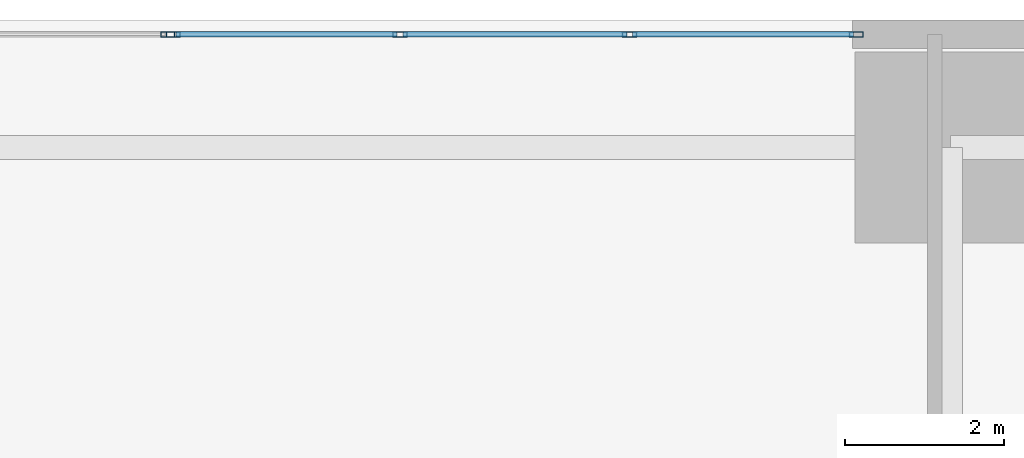
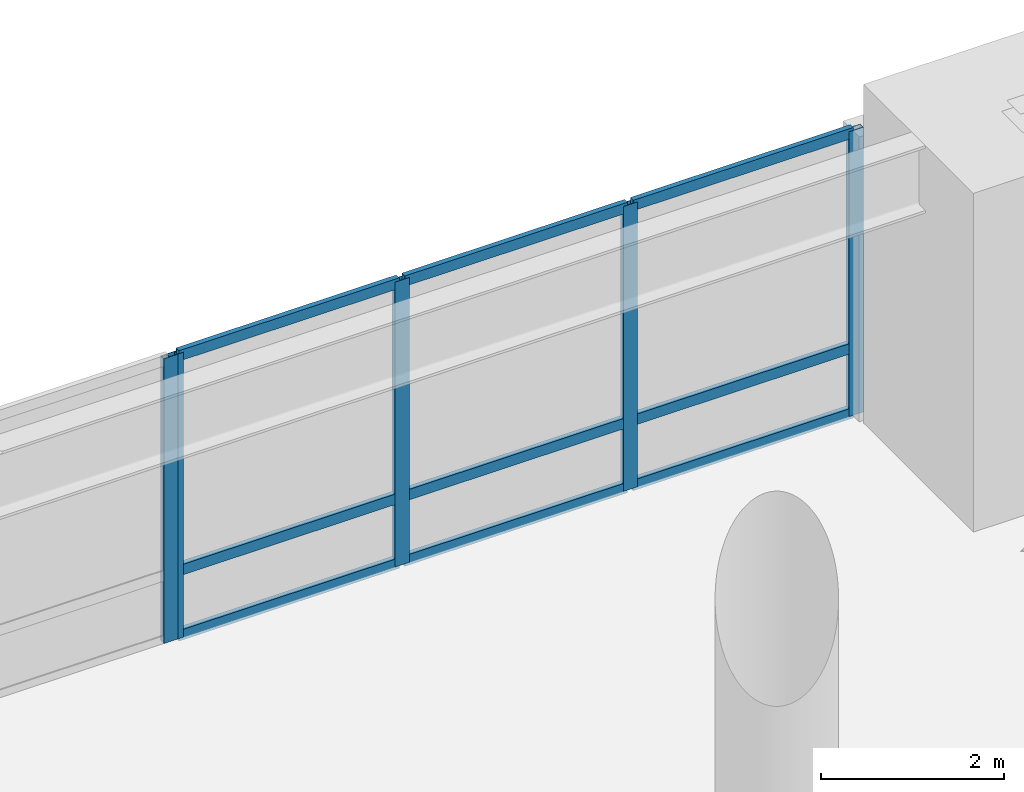
# One storey, part 12 of 17: 14 members, 2 elements without a shape of their own.
"""IFC4 building model written with IfcOpenShell, lengths in metres."""

import ifcopenshell
import ifcopenshell.guid

model = None  # the IFC model being written
_history = None  # IfcOwnerHistory: only IFC2X3 demands one
_inside = {}  # id of a spatial element -> (the spatial element, [elements in it])
_under = {}  # id of a project, library or spatial element -> (it, [spatial elements below it])
_declared = {}  # id of a project -> (the project, [libraries it declares])
_typed = {}  # id of a type object -> (the type object, [elements of that type])
_made_of = {}  # id of a material, layer set ... -> (it, [elements and type objects made of it])


def new_model(schema):
    """Start an empty IFC model of exactly this schema.

    Asked for "IFC4X3", IfcOpenShell would pick the latest addendum, in which some entities
    have other attributes; the version numbers below select the first issue.
    IFC2X3 requires an IfcOwnerHistory on every rooted entity: one is made here for all.
    """
    global model, _history
    if schema == "IFC4X3":
        model = ifcopenshell.file(schema_version=(4, 3, 0, 0))
    else:
        model = ifcopenshell.file(schema=schema)
    _inside.clear()
    _under.clear()
    _declared.clear()
    _typed.clear()
    _made_of.clear()
    _history = None
    if model.schema == "IFC2X3":
        org = make("IfcOrganization", Name="unknown")
        user = make(
            "IfcPersonAndOrganization",
            ThePerson=make("IfcPerson", FamilyName="unknown"),
            TheOrganization=org,
        )
        app = make(
            "IfcApplication",
            ApplicationDeveloper=org,
            Version="unknown",
            ApplicationFullName="unknown",
            ApplicationIdentifier="unknown",
        )
        _history = make(
            "IfcOwnerHistory",
            OwningUser=user,
            OwningApplication=app,
            ChangeAction="ADDED",
            CreationDate=0,
        )
    return model


def make(cls, **values):
    """One entity of the class cls with the attributes given. An attribute that is None is left unset."""
    return model.create_entity(
        cls, **{name: value for name, value in values.items() if value is not None}
    )


def rooted(cls, **values):
    """An entity with a GlobalId (a new one), such as an element, a storey or a relation."""
    return make(cls, GlobalId=ifcopenshell.guid.new(), OwnerHistory=_history, **values)


def si_unit(unit_type, name, prefix=None):
    """IfcSIUnit, for example si_unit("LENGTHUNIT", "METRE", prefix="MILLI")."""
    return make("IfcSIUnit", UnitType=unit_type, Prefix=prefix, Name=name)


def assignment(units):
    """IfcUnitAssignment: the units of a project."""
    return None if units is None else make("IfcUnitAssignment", Units=units)


def point(xyz):
    """IfcCartesianPoint."""
    return None if xyz is None else make("IfcCartesianPoint", Coordinates=xyz)


def direction(xyz):
    """IfcDirection."""
    return None if xyz is None else make("IfcDirection", DirectionRatios=xyz)


def frame(location, z_axis=None, x_axis=None):
    """IfcAxis2Placement3D, a coordinate frame: its origin and axes. An axis left out is left unset."""
    return make(
        "IfcAxis2Placement3D",
        Location=point(location),
        Axis=direction(z_axis),
        RefDirection=direction(x_axis),
    )


def frame_2d(location, x_axis=None):
    """IfcAxis2Placement2D, a coordinate frame in the plane: its origin and x axis."""
    return make(
        "IfcAxis2Placement2D", Location=point(location), RefDirection=direction(x_axis)
    )


def origin():
    """The frame at (0, 0, 0) with its axes left unset."""
    return frame((0.0, 0.0, 0.0))


def origin_2d():
    """The frame at (0, 0) in the plane with its x axis left unset."""
    return frame_2d((0.0, 0.0))


def place(relative_to, where):
    """IfcLocalPlacement: puts the frame where relative to a parent placement (None: the world)."""
    return make(
        "IfcLocalPlacement", PlacementRelTo=relative_to, RelativePlacement=where
    )


def context(
    kind, dimensions, precision=None, world=None, true_north=None, identifier=None
):
    """IfcGeometricRepresentationContext, for example the 3D "Model" context."""
    return make(
        "IfcGeometricRepresentationContext",
        ContextIdentifier=identifier,
        ContextType=kind,
        CoordinateSpaceDimension=dimensions,
        Precision=precision,
        WorldCoordinateSystem=world,
        TrueNorth=true_north,
    )


def subcontext(parent, identifier, kind, view, scale=None):
    """IfcGeometricRepresentationSubContext, for example "Body" below "Model"."""
    return make(
        "IfcGeometricRepresentationSubContext",
        ContextIdentifier=identifier,
        ContextType=kind,
        ParentContext=parent,
        TargetScale=scale,
        TargetView=view,
    )


def project(units=None, contexts=None):
    """IfcProject with its units and contexts."""
    return rooted(
        "IfcProject",
        Name="project",
        RepresentationContexts=contexts,
        UnitsInContext=assignment(units),
    )


def spatial(cls, under=None, at=None, **own):
    """A site, building, storey or space (cls), placed at a placement, below another one or the project."""
    s = rooted(cls, ObjectPlacement=at, **own)
    if under is not None:
        _under.setdefault(under.id(), (under, []))[1].append(s)
    return s


def profile(cls, at=None, kind="AREA", **sizes):
    """A parametric profile (cls). Its sizes go by their IFC names, for example OverallWidth=200.0."""
    return make(cls, ProfileType=kind, Position=at, **sizes)


def hollow_rectangle(**sizes):
    """IfcRectangleHollowProfileDef."""
    return profile("IfcRectangleHollowProfileDef", **sizes)


def extrude(swept, where, along, depth):
    """IfcExtrudedAreaSolid: the profile swept, set in the frame where, extruded along a direction by depth."""
    return make(
        "IfcExtrudedAreaSolid",
        SweptArea=swept,
        Position=where,
        ExtrudedDirection=direction(along),
        Depth=depth,
    )


def shape(context_of_items, identifier, shape_type, items):
    """IfcShapeRepresentation: the items that make up one representation, for example the "Body"."""
    return make(
        "IfcShapeRepresentation",
        ContextOfItems=context_of_items,
        RepresentationIdentifier=identifier,
        RepresentationType=shape_type,
        Items=items,
    )


def material(Name=None, Category=None):
    """IfcMaterial."""
    return make("IfcMaterial", Name=Name, Category=Category)


def layer(
    of_material, thickness, ventilated=None, Name=None, Category=None, Priority=None
):
    """IfcMaterialLayer: one layer of a wall or slab, of a material (None: an air gap)."""
    return make(
        "IfcMaterialLayer",
        Material=of_material,
        LayerThickness=thickness,
        IsVentilated=ventilated,
        Name=Name,
        Category=Category,
        Priority=Priority,
    )


def layer_set(layers, Name=None):
    """IfcMaterialLayerSet."""
    return make("IfcMaterialLayerSet", MaterialLayers=layers, LayerSetName=Name)


def material_profile(
    of_material, cross_section, Name=None, Category=None, Priority=None
):
    """IfcMaterialProfile: a cross section and its material."""
    return make(
        "IfcMaterialProfile",
        Name=Name,
        Material=of_material,
        Profile=cross_section,
        Priority=Priority,
        Category=Category,
    )


def profile_set(profiles, Name=None, composite=None):
    """IfcMaterialProfileSet."""
    return make(
        "IfcMaterialProfileSet",
        Name=Name,
        MaterialProfiles=profiles,
        CompositeProfile=composite,
    )


def made_of(thing, what):
    """Note that an element or type object is made of a material, layer set ...; save() writes the relation."""
    if what is not None:
        _made_of.setdefault(what.id(), (what, []))[1].append(thing)
    return thing


def type_object(cls, material=None, **own):
    """A type object (cls), such as IfcWallType, which elements share."""
    return made_of(rooted(cls, **own), material)


def element(
    cls,
    number,
    at=None,
    inside=None,
    cuts=None,
    type_object=None,
    material=None,
    context=None,
    identifier="Body",
    shape_type=None,
    held_by="IfcProductDefinitionShape",
    body=None,
    shapes=None,
    **own,
):
    """One element of the class cls, such as IfcWall. Its Tag is "e" and its number.

    at: its placement. inside: the storey or other place that contains it. cuts: it is an
    opening in that element (IfcRelVoidsElement). A single representation is given by context,
    identifier, shape_type and body (its items); several are given by shapes. held_by: the class
    of the entity that holds the representations. save() writes the other relations.
    """
    e = rooted(cls, Tag="e%d" % number, ObjectPlacement=at, **own)
    if body is not None:
        shapes = [shape(context, identifier, shape_type, body)]
    if shapes is not None:
        e.Representation = make(held_by, Representations=shapes)
    if inside is not None:
        _inside.setdefault(inside.id(), (inside, []))[1].append(e)
    if cuts is not None:
        rooted(
            "IfcRelVoidsElement", RelatingBuildingElement=cuts, RelatedOpeningElement=e
        )
    if type_object is not None:
        _typed.setdefault(type_object.id(), (type_object, []))[1].append(e)
    return made_of(e, material)


def aggregate(whole, parts):
    """IfcRelAggregates: a whole, such as a stair, and the parts it consists of."""
    return rooted("IfcRelAggregates", RelatingObject=whole, RelatedObjects=parts)


def save(model, path):
    """Write the relations noted so far, then the file.

    IfcRelAggregates (storeys below a building ...), IfcRelContainedInSpatialStructure (elements
    in a storey), IfcRelDefinesByType, IfcRelAssociatesMaterial and IfcRelDeclares: one each for
    every whole, place, type object, material and project.
    """
    for whole, parts in _under.values():
        aggregate(whole, parts)
    for where, things in _inside.values():
        rooted(
            "IfcRelContainedInSpatialStructure",
            RelatedElements=things,
            RelatingStructure=where,
        )
    for kind, things in _typed.values():
        rooted("IfcRelDefinesByType", RelatedObjects=things, RelatingType=kind)
    for what, things in _made_of.values():
        rooted("IfcRelAssociatesMaterial", RelatedObjects=things, RelatingMaterial=what)
    for by, libraries in _declared.values():
        rooted("IfcRelDeclares", RelatingContext=by, RelatedDefinitions=libraries)
    model.write(path)


model = new_model("IFC4")

# Units and contexts
model_context = context("Model", 3, precision=1e-05, world=origin(), true_north=direction((0.0, 1.0)))
body_context = subcontext(model_context, "Body", "Model", "MODEL_VIEW")
ifc_project = project(units=[si_unit("LENGTHUNIT", "METRE"), si_unit("AREAUNIT", "SQUARE_METRE"), si_unit("VOLUMEUNIT", "CUBIC_METRE"), si_unit("PLANEANGLEUNIT", "RADIAN"), si_unit("MASSUNIT", "GRAM", prefix="KILO"), si_unit("THERMODYNAMICTEMPERATUREUNIT", "KELVIN"), si_unit("POWERUNIT", "WATT")], contexts=[model_context])

# Site, building, storey
site_placement = place(None, origin())
site = spatial("IfcSite", under=ifc_project, at=site_placement, CompositionType="ELEMENT")
building_placement = place(site_placement, origin())
building = spatial("IfcBuilding", under=site, at=building_placement, Name="Ocrelia Relay Tower", CompositionType="ELEMENT")
storey_placement = place(building_placement, frame((0.0, 0.0, 25.199951171875)))
storey = spatial("IfcBuildingStorey", under=building, at=storey_placement, Name="L05", CompositionType="ELEMENT", Elevation=25.199951171875)

# Curtain wall, member
ifc_material_1 = material(Name="Aluminium and solar-control low-E glass", Category="aluminium")
ifc_layer = layer(ifc_material_1, 0.179931640625, Name="Aluminium and solar-control low-E glass")
ifc_layer_set = layer_set([ifc_layer], Name="Aluminium and solar-control low-E glass")
curtain_wall_type = type_object("IfcCurtainWallType", Name="CW-SYS-POD-GALL", PredefinedType="NOTDEFINED", material=ifc_layer_set)
curtain_wall_1_placement = place(storey_placement, origin())
curtain_wall_1 = element("IfcCurtainWall", 1, at=curtain_wall_1_placement, inside=storey, type_object=curtain_wall_type, Name="L05 North Over-Arch Curtain Wall West", PredefinedType="NOTDEFINED")
ifc_material_2 = material(Name="Anodised bronze aluminium", Category="aluminium")
ifc_material_profile_1 = material_profile(ifc_material_2, hollow_rectangle(XDim=0.070068359375, YDim=0.179931640625, WallThickness=0.006103515625, at=origin_2d()), Name="CW-MUL-180x70")
ifc_profile_set_1 = profile_set([ifc_material_profile_1], Name="Anodised bronze aluminium")
member_type_1 = type_object("IfcMemberType", Name="CW-SYS-POD-GALL-MUL", PredefinedType="MULLION", material=ifc_profile_set_1)
member_1_placement = place(storey_placement, frame((33.965087890625, 51.820068359375, 0.0), z_axis=(0.0, 0.0, 1.0), x_axis=(0.0, 1.0, 0.0)))
member_1 = element("IfcMember", 2, at=member_1_placement, type_object=member_type_1, Name="CW-PG mullion 4", PredefinedType="MULLION", context=body_context, shape_type="SweptSolid", body=[
    extrude(hollow_rectangle(XDim=0.070068359375, YDim=0.179931640625, WallThickness=0.006103515625, at=origin_2d()), origin(), (0.0, 0.0, 1.0), 3.800048828125),
])
aggregate(curtain_wall_1, [member_1])

# Curtain wall, members
curtain_wall_2_placement = place(storey_placement, origin())
curtain_wall_2 = element("IfcCurtainWall", 3, at=curtain_wall_2_placement, inside=storey, type_object=curtain_wall_type, Name="L05 North Over-Arch Curtain Wall East", PredefinedType="NOTDEFINED")
member_2_placement = place(storey_placement, frame((34.034912109375, 51.820068359375, 0.0), z_axis=(0.0, 0.0, 1.0), x_axis=(0.0, 1.0, 0.0)))
member_2 = element("IfcMember", 4, at=member_2_placement, type_object=member_type_1, Name="CW-PG mullion 1", PredefinedType="MULLION", context=body_context, shape_type="SweptSolid", body=[
    extrude(hollow_rectangle(XDim=0.070068359375, YDim=0.179931640625, WallThickness=0.006103515625, at=origin_2d()), origin(), (0.0, 0.0, 1.0), 3.800048828125),
])
member_3_placement = place(storey_placement, frame((36.88330078125, 51.820068359375, 0.0), z_axis=(0.0, 0.0, 1.0), x_axis=(0.0, 1.0, 0.0)))
member_3 = element("IfcMember", 5, at=member_3_placement, type_object=member_type_1, Name="CW-PG mullion 2", PredefinedType="MULLION", context=body_context, shape_type="SweptSolid", body=[
    extrude(hollow_rectangle(XDim=0.070068359375, YDim=0.179931640625, WallThickness=0.006103515625, at=origin_2d()), origin(), (0.0, 0.0, 1.0), 3.800048828125),
])
member_4_placement = place(storey_placement, frame((39.7666015625, 51.820068359375, 0.0), z_axis=(0.0, 0.0, 1.0), x_axis=(0.0, 1.0, 0.0)))
member_4 = element("IfcMember", 6, at=member_4_placement, type_object=member_type_1, Name="CW-PG mullion 3", PredefinedType="MULLION", context=body_context, shape_type="SweptSolid", body=[
    extrude(hollow_rectangle(XDim=0.070068359375, YDim=0.179931640625, WallThickness=0.006103515625, at=origin_2d()), origin(), (0.0, 0.0, 1.0), 3.800048828125),
])
member_5_placement = place(storey_placement, frame((42.614990234375, 51.820068359375, 0.0), z_axis=(0.0, 0.0, 1.0), x_axis=(0.0, 1.0, 0.0)))
member_5 = element("IfcMember", 7, at=member_5_placement, type_object=member_type_1, Name="CW-PG mullion 4", PredefinedType="MULLION", context=body_context, shape_type="SweptSolid", body=[
    extrude(hollow_rectangle(XDim=0.070068359375, YDim=0.179931640625, WallThickness=0.006103515625, at=origin_2d()), origin(), (0.0, 0.0, 1.0), 3.800048828125),
])
ifc_material_profile_2 = material_profile(ifc_material_2, hollow_rectangle(XDim=0.06494140625, YDim=0.139892578125, WallThickness=0.0048828125, at=origin_2d()), Name="CW-TRN-140x65")
ifc_profile_set_2 = profile_set([ifc_material_profile_2], Name="Anodised bronze aluminium")
member_type_2 = type_object("IfcMemberType", Name="CW-SYS-POD-GALL-TRN", PredefinedType="USERDEFINED", material=ifc_profile_set_2)
member_6_placement = place(storey_placement, frame((34.070068359375, 51.820068359375, 0.032470703125), z_axis=(1.0, 0.0, 0.0), x_axis=(0.0, 1.0, 0.0)))
member_6 = element("IfcMember", 8, at=member_6_placement, type_object=member_type_2, Name="CW-PG transom 1.1", ObjectType="TRANSOM", PredefinedType="USERDEFINED", context=body_context, shape_type="SweptSolid", body=[
    extrude(hollow_rectangle(XDim=0.06494140625, YDim=0.139892578125, WallThickness=0.0048828125, at=origin_2d()), origin(), (0.0, 0.0, 1.0), 2.7783203125),
])
member_7_placement = place(storey_placement, frame((34.070068359375, 51.820068359375, 0.900146484375), z_axis=(1.0, 0.0, 0.0), x_axis=(0.0, 1.0, 0.0)))
member_7 = element("IfcMember", 9, at=member_7_placement, type_object=member_type_2, Name="CW-PG transom 1.2", ObjectType="TRANSOM", PredefinedType="USERDEFINED", context=body_context, shape_type="SweptSolid", body=[
    extrude(hollow_rectangle(XDim=0.06494140625, YDim=0.139892578125, WallThickness=0.0048828125, at=origin_2d()), origin(), (0.0, 0.0, 1.0), 2.7783203125),
])
member_8_placement = place(storey_placement, frame((34.070068359375, 51.820068359375, 3.767578125), z_axis=(1.0, 0.0, 0.0), x_axis=(0.0, 1.0, 0.0)))
member_8 = element("IfcMember", 10, at=member_8_placement, type_object=member_type_2, Name="CW-PG transom 1.3", ObjectType="TRANSOM", PredefinedType="USERDEFINED", context=body_context, shape_type="SweptSolid", body=[
    extrude(hollow_rectangle(XDim=0.06494140625, YDim=0.139892578125, WallThickness=0.0048828125, at=origin_2d()), origin(), (0.0, 0.0, 1.0), 2.7783203125),
])
member_9_placement = place(storey_placement, frame((36.918212890625, 51.820068359375, 0.032470703125), z_axis=(1.0, 0.0, 0.0), x_axis=(0.0, 1.0, 0.0)))
member_9 = element("IfcMember", 11, at=member_9_placement, type_object=member_type_2, Name="CW-PG transom 2.1", ObjectType="TRANSOM", PredefinedType="USERDEFINED", context=body_context, shape_type="SweptSolid", body=[
    extrude(hollow_rectangle(XDim=0.06494140625, YDim=0.139892578125, WallThickness=0.0048828125, at=origin_2d()), origin(), (0.0, 0.0, 1.0), 2.8134765625),
])
member_10_placement = place(storey_placement, frame((36.918212890625, 51.820068359375, 0.900146484375), z_axis=(1.0, 0.0, 0.0), x_axis=(0.0, 1.0, 0.0)))
member_10 = element("IfcMember", 12, at=member_10_placement, type_object=member_type_2, Name="CW-PG transom 2.2", ObjectType="TRANSOM", PredefinedType="USERDEFINED", context=body_context, shape_type="SweptSolid", body=[
    extrude(hollow_rectangle(XDim=0.06494140625, YDim=0.139892578125, WallThickness=0.0048828125, at=origin_2d()), origin(), (0.0, 0.0, 1.0), 2.8134765625),
])
member_11_placement = place(storey_placement, frame((36.918212890625, 51.820068359375, 3.767578125), z_axis=(1.0, 0.0, 0.0), x_axis=(0.0, 1.0, 0.0)))
member_11 = element("IfcMember", 13, at=member_11_placement, type_object=member_type_2, Name="CW-PG transom 2.3", ObjectType="TRANSOM", PredefinedType="USERDEFINED", context=body_context, shape_type="SweptSolid", body=[
    extrude(hollow_rectangle(XDim=0.06494140625, YDim=0.139892578125, WallThickness=0.0048828125, at=origin_2d()), origin(), (0.0, 0.0, 1.0), 2.8134765625),
])
member_12_placement = place(storey_placement, frame((39.8017578125, 51.820068359375, 0.032470703125), z_axis=(1.0, 0.0, 0.0), x_axis=(0.0, 1.0, 0.0)))
member_12 = element("IfcMember", 14, at=member_12_placement, type_object=member_type_2, Name="CW-PG transom 3.1", ObjectType="TRANSOM", PredefinedType="USERDEFINED", context=body_context, shape_type="SweptSolid", body=[
    extrude(hollow_rectangle(XDim=0.06494140625, YDim=0.139892578125, WallThickness=0.0048828125, at=origin_2d()), origin(), (0.0, 0.0, 1.0), 2.7783203125),
])
member_13_placement = place(storey_placement, frame((39.8017578125, 51.820068359375, 0.900146484375), z_axis=(1.0, 0.0, 0.0), x_axis=(0.0, 1.0, 0.0)))
member_13 = element("IfcMember", 15, at=member_13_placement, type_object=member_type_2, Name="CW-PG transom 3.2", ObjectType="TRANSOM", PredefinedType="USERDEFINED", context=body_context, shape_type="SweptSolid", body=[
    extrude(hollow_rectangle(XDim=0.06494140625, YDim=0.139892578125, WallThickness=0.0048828125, at=origin_2d()), origin(), (0.0, 0.0, 1.0), 2.7783203125),
])
member_14_placement = place(storey_placement, frame((39.8017578125, 51.820068359375, 3.767578125), z_axis=(1.0, 0.0, 0.0), x_axis=(0.0, 1.0, 0.0)))
member_14 = element("IfcMember", 16, at=member_14_placement, type_object=member_type_2, Name="CW-PG transom 3.3", ObjectType="TRANSOM", PredefinedType="USERDEFINED", context=body_context, shape_type="SweptSolid", body=[
    extrude(hollow_rectangle(XDim=0.06494140625, YDim=0.139892578125, WallThickness=0.0048828125, at=origin_2d()), origin(), (0.0, 0.0, 1.0), 2.7783203125),
])
aggregate(curtain_wall_2, [member_2, member_3, member_4, member_5, member_6, member_7, member_8, member_9, member_10, member_11, member_12, member_13, member_14])

save(model, "model.ifc")
